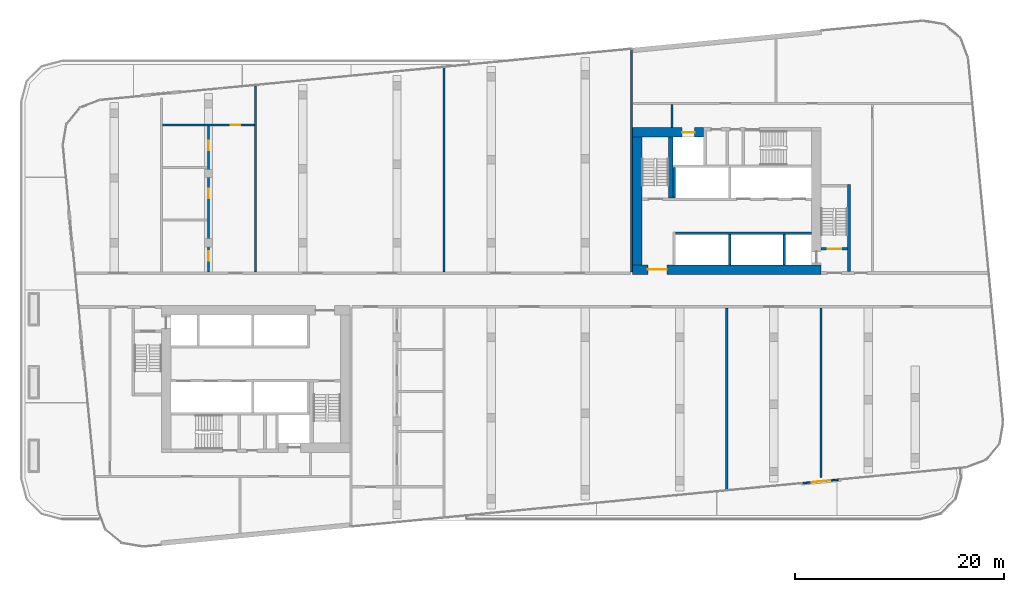
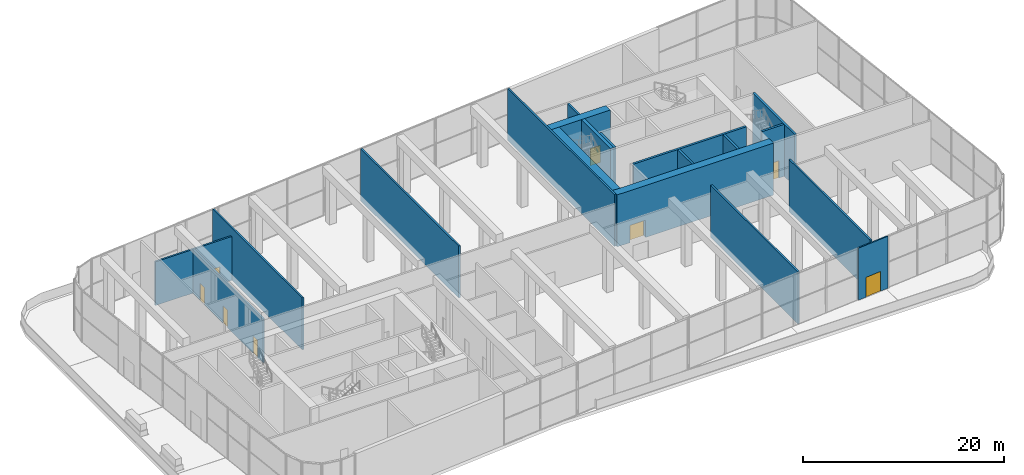
# One storey, part 15 of 25: 19 walls, 8 doors, 8 openings.
"""IFC4 building model written with IfcOpenShell, lengths in metres."""

from ifc_helpers import new_model, si_unit, direction, frame, frame_2d, origin, place, context, subcontext, project, spatial, rectangle, extrude, material, layer, layer_set, type_object, element, fill, save


model = new_model("IFC4")

# Units and contexts
model_context = context("Model", 3, precision=1e-05, world=origin(), true_north=direction((0.0, 1.0)))
body_context = subcontext(model_context, "Body", "Model", "MODEL_VIEW")
ifc_project = project(units=[si_unit("LENGTHUNIT", "METRE"), si_unit("AREAUNIT", "SQUARE_METRE"), si_unit("VOLUMEUNIT", "CUBIC_METRE"), si_unit("PLANEANGLEUNIT", "RADIAN"), si_unit("MASSUNIT", "GRAM", prefix="KILO")], contexts=[model_context])

# Site, building, storey
site_placement = place(None, origin())
site = spatial("IfcSite", under=ifc_project, at=site_placement, CompositionType="ELEMENT")
building_placement = place(site_placement, origin())
building = spatial("IfcBuilding", under=site, at=building_placement, Name="Kajstack Hotel Tower", CompositionType="ELEMENT")
storey_placement = place(building_placement, frame((0.0, 0.0, 104.199951171875)))
storey = spatial("IfcBuildingStorey", under=building, at=storey_placement, Name="L22", CompositionType="ELEMENT", Elevation=104.199951171875)

# Wall, opening, door
ifc_material_1 = material(Name="Concrete C60/75", Category="concrete")
ifc_layer_1 = layer(ifc_material_1, 0.89990234375)
ifc_layer_set_1 = layer_set([ifc_layer_1], Name="Core wall 900")
wall_type_1 = type_object("IfcWallType", Name="Core wall 900", PredefinedType="SHEAR", material=ifc_layer_set_1)
wall_1_placement = place(storey_placement, frame((13.5, 1.949951171875, 0.0), z_axis=(0.0, 0.0, 1.0), x_axis=(1.0, 0.0, 0.0)))
wall_1 = element("IfcWall", 1, at=wall_1_placement, inside=storey, type_object=wall_type_1, Name="Core wall E RN", PredefinedType="SHEAR", context=body_context, shape_type="SweptSolid", body=[
    extrude(rectangle(XDim=18.0, YDim=0.89990234375, at=frame_2d((9.0, 0.0))), origin(), (0.0, 0.0, 1.0), 6.320068359375),
])
opening_1_placement = place(wall_1_placement, frame((1.47509765625, 0.0, 0.0)))
opening_1 = element("IfcOpeningElement", 2, at=opening_1_placement, cuts=wall_1, Name="Opening 22E06", PredefinedType="OPENING", context=body_context, shape_type="SweptSolid", body=[
    extrude(rectangle(XDim=1.800048828125, YDim=2.10009765625, at=frame_2d((0.89990234375, 1.050048828125))), frame((0.0, 0.4599609375, 0.0), z_axis=(0.0, -1.0, 0.0), x_axis=(1.0, 0.0, 0.0)), (0.0, 0.0, 1.0), 0.919921875),
])
ifc_material_2 = material(Name="Glazed steel frame, fire-rated glass", Category="steel")
door_type_1 = type_object("IfcDoorType", Name="Lobby double door 1800", OperationType="DOUBLE_DOOR_DOUBLE_SWING", PredefinedType="DOOR", material=ifc_material_2)
door_1_placement = place(opening_1_placement, origin())
door_1 = element("IfcDoor", 3, at=door_1_placement, inside=storey, type_object=door_type_1, Name="Door 22E06", OperationType="DOUBLE_DOOR_DOUBLE_SWING", OverallHeight=2.10009765625, OverallWidth=1.800048828125, PredefinedType="DOOR", context=body_context, shape_type="SweptSolid", body=[
    extrude(rectangle(XDim=1.800048828125, YDim=2.10009765625, at=frame_2d((0.89990234375, 1.050048828125))), frame((0.0, 0.02490234375, 0.0), z_axis=(0.0, -1.0, 0.0), x_axis=(1.0, 0.0, 0.0)), (0.0, 0.0, 1.0), 0.050048828125),
])
fill(opening_1, door_1)

wall_2_placement = place(storey_placement, frame((13.5, 15.050048828125, 0.0), z_axis=(0.0, 0.0, 1.0), x_axis=(1.0, 0.0, 0.0)))
wall_2 = element("IfcWall", 4, at=wall_2_placement, inside=storey, type_object=wall_type_1, Name="Core wall E RS", PredefinedType="SHEAR", context=body_context, shape_type="SweptSolid", body=[
    extrude(rectangle(XDim=6.800048828125, YDim=0.89990234375, at=frame_2d((3.39990234375, 0.0))), origin(), (0.0, 0.0, 1.0), 6.320068359375),
])
opening_2_placement = place(wall_2_placement, frame((4.72509765625, 0.0, 0.0)))
opening_2 = element("IfcOpeningElement", 5, at=opening_2_placement, cuts=wall_2, Name="Opening LD-SV2", PredefinedType="OPENING", context=body_context, shape_type="SweptSolid", body=[
    extrude(rectangle(XDim=1.199951171875, YDim=2.10009765625, at=frame_2d((0.60009765625, 1.050048828125))), frame((0.0, 0.4599609375, 0.0), z_axis=(0.0, -1.0, 0.0), x_axis=(1.0, 0.0, 0.0)), (0.0, 0.0, 1.0), 0.919921875),
])
ifc_material_3 = material(Name="Stainless steel", Category="steel")
door_type_2 = type_object("IfcDoorType", Name="Lift landing door 1200", OperationType="SLIDING_TO_LEFT", PredefinedType="DOOR", material=ifc_material_3)
door_2_placement = place(opening_2_placement, origin())
door_2 = element("IfcDoor", 6, at=door_2_placement, inside=storey, type_object=door_type_2, Name="Landing door SV2", OperationType="SLIDING_TO_LEFT", OverallHeight=2.10009765625, OverallWidth=1.199951171875, PredefinedType="DOOR", context=body_context, shape_type="SweptSolid", body=[
    extrude(rectangle(XDim=1.199951171875, YDim=2.10009765625, at=frame_2d((0.60009765625, 1.050048828125))), frame((0.0, 0.02490234375, 0.0), z_axis=(0.0, -1.0, 0.0), x_axis=(1.0, 0.0, 0.0)), (0.0, 0.0, 1.0), 0.050048828125),
])
fill(opening_2, door_2)

# Wall
wall_3_placement = place(storey_placement, frame((13.949951171875, 2.39990234375, 0.0), z_axis=(0.0, 0.0, 1.0), x_axis=(0.0, 1.0, 0.0)))
element("IfcWall", 7, at=wall_3_placement, inside=storey, type_object=wall_type_1, Name="Core wall E RE", PredefinedType="SHEAR", context=body_context, shape_type="SweptSolid", body=[
    extrude(rectangle(XDim=12.2001953125, YDim=0.89990234375, at=frame_2d((6.10009765625, 0.0))), origin(), (0.0, 0.0, 1.0), 6.320068359375),
])

# Wall, opening, door
ifc_material_4 = material(Name="Aluminium", Category="aluminium")
ifc_layer_2 = layer(ifc_material_4, 0.14990234375)
ifc_layer_set_2 = layer_set([ifc_layer_2], Name="EW-FRAME")
wall_type_2 = type_object("IfcWallType", Name="EW-FRAME", PredefinedType="SOLIDWALL", material=ifc_layer_set_2)
wall_4_placement = place(storey_placement, frame((29.701171875, -18.449462890625, 0.0), z_axis=(0.0, 0.0, 1.0), x_axis=(0.995391243109, 0.09589720091, 0.0)))
wall_4 = element("IfcWall", 8, at=wall_4_placement, inside=storey, type_object=wall_type_2, Name="E-wall-L22-04-03", PredefinedType="SOLIDWALL", context=body_context, shape_type="SweptSolid", body=[
    extrude(rectangle(XDim=3.599853515625, YDim=0.14990234375, at=frame_2d((1.7998046875, 0.0))), origin(), (0.0, 0.0, 1.0), 6.320068359375),
])
opening_3_placement = place(wall_4_placement, frame((0.89990234375, 0.0, 0.0)))
opening_3 = element("IfcOpeningElement", 9, at=opening_3_placement, cuts=wall_4, Name="Opening TD1", PredefinedType="OPENING", context=body_context, shape_type="SweptSolid", body=[
    extrude(rectangle(XDim=1.800048828125, YDim=2.39990234375, at=frame_2d((0.89990234375, 1.199951171875))), frame((0.0, 0.0849609375, 0.0), z_axis=(0.0, -1.0, 0.0), x_axis=(1.0, 0.0, 0.0)), (0.0, 0.0, 1.0), 0.169921875),
])
ifc_material_5 = material(Name="Timber-aluminium door", Category="wood")
door_type_3 = type_object("IfcDoorType", Name="DOOR-TERRACE", OperationType="DOUBLE_DOOR_SINGLE_SWING", PredefinedType="DOOR", material=ifc_material_5)
door_3_placement = place(opening_3_placement, origin())
door_3 = element("IfcDoor", 10, at=door_3_placement, inside=storey, type_object=door_type_3, Name="Terrace door L22-04", OperationType="SINGLE_SWING_LEFT", OverallHeight=2.39990234375, OverallWidth=1.800048828125, PredefinedType="DOOR", context=body_context, shape_type="SweptSolid", body=[
    extrude(rectangle(XDim=1.800048828125, YDim=2.39990234375, at=frame_2d((0.89990234375, 1.199951171875))), frame((0.0, 0.02490234375, 0.0), z_axis=(0.0, -1.0, 0.0), x_axis=(1.0, 0.0, 0.0)), (0.0, 0.0, 1.0), 0.050048828125),
])
fill(opening_3, door_3)

# Walls
ifc_material_6 = material(Name="Concrete C50/60", Category="concrete")
ifc_layer_3 = layer(ifc_material_6, 0.300048828125)
ifc_layer_set_3 = layer_set([ifc_layer_3], Name="Hoistway divider wall 300")
wall_type_3 = type_object("IfcWallType", Name="Hoistway divider wall 300", PredefinedType="SHEAR", material=ifc_layer_set_3)
wall_5_placement = place(storey_placement, frame((22.77490234375, 2.39990234375, 0.0), z_axis=(0.0, 0.0, 1.0), x_axis=(0.0, 1.0, 0.0)))
element("IfcWall", 11, at=wall_5_placement, inside=storey, type_object=wall_type_3, Name="Core wall E AP2", PredefinedType="SHEAR", context=body_context, shape_type="SweptSolid", body=[
    extrude(rectangle(XDim=2.900146484375, YDim=0.25, at=frame_2d((1.4501953125, 0.0))), origin(), (0.0, 0.0, 1.0), 6.320068359375),
])
ifc_material_7 = material(Name="Gypsum board on steel studs, mineral wool", Category="steel")
ifc_layer_4 = layer(ifc_material_7, 0.199951171875)
ifc_layer_set_4 = layer_set([ifc_layer_4], Name="Public partition 200")
wall_type_4 = type_object("IfcWallType", Name="Public partition 200", PredefinedType="PARTITIONING", material=ifc_layer_set_4)
wall_6_placement = place(storey_placement, frame((-4.5, 1.699951171875, 0.0), z_axis=(0.0, 0.0, 1.0), x_axis=(0.0, 1.0, 0.0)))
element("IfcWall", 12, at=wall_6_placement, inside=storey, type_object=wall_type_4, Name="Partition PX0", PredefinedType="PARTITIONING", context=body_context, shape_type="SweptSolid", body=[
    extrude(rectangle(XDim=19.5302734375, YDim=0.199951171875, at=frame_2d((9.76513671875, 0.0))), origin(), (0.0, 0.0, 1.0), 6.320068359375),
])
wall_7_placement = place(storey_placement, frame((-22.5, 1.699951171875, 0.0), z_axis=(0.0, 0.0, 1.0), x_axis=(0.0, 1.0, 0.0)))
element("IfcWall", 13, at=wall_7_placement, inside=storey, type_object=wall_type_4, Name="Partition PX1", PredefinedType="PARTITIONING", context=body_context, shape_type="SweptSolid", body=[
    extrude(rectangle(XDim=17.797119140625, YDim=0.199951171875, at=frame_2d((8.8984375, 0.0))), origin(), (0.0, 0.0, 1.0), 6.320068359375),
])

# Wall, openings, doors
wall_8_placement = place(storey_placement, frame((-27.0, 1.699951171875, 0.0), z_axis=(0.0, 0.0, 1.0), x_axis=(0.0, 1.0, 0.0)))
wall_8 = element("IfcWall", 14, at=wall_8_placement, inside=storey, type_object=wall_type_4, Name="Partition C2CW", PredefinedType="PARTITIONING", context=body_context, shape_type="SweptSolid", body=[
    extrude(rectangle(XDim=13.96240234375, YDim=0.199951171875, at=frame_2d((6.981201171875, 0.0))), origin(), (0.0, 0.0, 1.0), 5.320068359375),
])
opening_4_placement = place(wall_8_placement, frame((1.10009765625, 0.0, 0.0)))
opening_4 = element("IfcOpeningElement", 15, at=opening_4_placement, cuts=wall_8, Name="Opening 22P06", PredefinedType="OPENING", context=body_context, shape_type="SweptSolid", body=[
    extrude(rectangle(XDim=0.89990234375, YDim=2.10009765625, at=frame_2d((0.449951171875, 1.050048828125))), frame((0.0, 0.10986328125, 0.0), z_axis=(0.0, -1.0, 0.0), x_axis=(1.0, 0.0, 0.0)), (0.0, 0.0, 1.0), 0.219970703125),
])
opening_5_placement = place(wall_8_placement, frame((7.050048828125, 0.0, 0.0)))
opening_5 = element("IfcOpeningElement", 16, at=opening_5_placement, cuts=wall_8, Name="Opening 22P07", PredefinedType="OPENING", context=body_context, shape_type="SweptSolid", body=[
    extrude(rectangle(XDim=0.89990234375, YDim=2.10009765625, at=frame_2d((0.449951171875, 1.050048828125))), frame((0.0, 0.10986328125, 0.0), z_axis=(0.0, -1.0, 0.0), x_axis=(1.0, 0.0, 0.0)), (0.0, 0.0, 1.0), 0.219970703125),
])
opening_6_placement = place(wall_8_placement, frame((11.631103515625, 0.0, 0.0)))
opening_6 = element("IfcOpeningElement", 17, at=opening_6_placement, cuts=wall_8, Name="Opening 22P08", PredefinedType="OPENING", context=body_context, shape_type="SweptSolid", body=[
    extrude(rectangle(XDim=0.89990234375, YDim=2.10009765625, at=frame_2d((0.449951171875, 1.050048828125))), frame((0.0, 0.10986328125, 0.0), z_axis=(0.0, -1.0, 0.0), x_axis=(1.0, 0.0, 0.0)), (0.0, 0.0, 1.0), 0.219970703125),
])
ifc_material_8 = material(Name="Timber leaf", Category="wood")
door_type_4 = type_object("IfcDoorType", Name="Public room door 900", OperationType="SINGLE_SWING_LEFT", PredefinedType="DOOR", material=ifc_material_8)
door_4_placement = place(opening_4_placement, origin())
door_4 = element("IfcDoor", 18, at=door_4_placement, inside=storey, type_object=door_type_4, Name="Door 22P06", OperationType="SINGLE_SWING_LEFT", OverallHeight=2.10009765625, OverallWidth=0.89990234375, PredefinedType="DOOR", context=body_context, shape_type="SweptSolid", body=[
    extrude(rectangle(XDim=0.89990234375, YDim=2.10009765625, at=frame_2d((0.449951171875, 1.050048828125))), frame((0.0, 0.02490234375, 0.0), z_axis=(0.0, -1.0, 0.0), x_axis=(1.0, 0.0, 0.0)), (0.0, 0.0, 1.0), 0.050048828125),
])
fill(opening_4, door_4)
door_5_placement = place(opening_5_placement, origin())
door_5 = element("IfcDoor", 19, at=door_5_placement, inside=storey, type_object=door_type_4, Name="Door 22P07", OperationType="SINGLE_SWING_LEFT", OverallHeight=2.10009765625, OverallWidth=0.89990234375, PredefinedType="DOOR", context=body_context, shape_type="SweptSolid", body=[
    extrude(rectangle(XDim=0.89990234375, YDim=2.10009765625, at=frame_2d((0.449951171875, 1.050048828125))), frame((0.0, 0.02490234375, 0.0), z_axis=(0.0, -1.0, 0.0), x_axis=(1.0, 0.0, 0.0)), (0.0, 0.0, 1.0), 0.050048828125),
])
fill(opening_5, door_5)
door_6_placement = place(opening_6_placement, origin())
door_6 = element("IfcDoor", 20, at=door_6_placement, inside=storey, type_object=door_type_4, Name="Door 22P08", OperationType="SINGLE_SWING_LEFT", OverallHeight=2.10009765625, OverallWidth=0.89990234375, PredefinedType="DOOR", context=body_context, shape_type="SweptSolid", body=[
    extrude(rectangle(XDim=0.89990234375, YDim=2.10009765625, at=frame_2d((0.449951171875, 1.050048828125))), frame((0.0, 0.02490234375, 0.0), z_axis=(0.0, -1.0, 0.0), x_axis=(1.0, 0.0, 0.0)), (0.0, 0.0, 1.0), 0.050048828125),
])
fill(opening_6, door_6)

# Wall, opening, door
wall_9_placement = place(storey_placement, frame((-31.39990234375, 15.762451171875, 0.0), z_axis=(0.0, 0.0, 1.0), x_axis=(1.0, 0.0, 0.0)))
wall_9 = element("IfcWall", 21, at=wall_9_placement, inside=storey, type_object=wall_type_4, Name="Partition C2BW", PredefinedType="PARTITIONING", context=body_context, shape_type="SweptSolid", body=[
    extrude(rectangle(XDim=8.7998046875, YDim=0.199951171875, at=frame_2d((4.39990234375, 0.0))), origin(), (0.0, 0.0, 1.0), 5.320068359375),
])
opening_7_placement = place(wall_9_placement, frame((6.52490234375, 0.0, 0.0)))
opening_7 = element("IfcOpeningElement", 22, at=opening_7_placement, cuts=wall_9, Name="Opening 22P09", PredefinedType="OPENING", context=body_context, shape_type="SweptSolid", body=[
    extrude(rectangle(XDim=0.89990234375, YDim=2.10009765625, at=frame_2d((0.449951171875, 1.050048828125))), frame((0.0, 0.10986328125, 0.0), z_axis=(0.0, -1.0, 0.0), x_axis=(1.0, 0.0, 0.0)), (0.0, 0.0, 1.0), 0.219970703125),
])
door_7_placement = place(opening_7_placement, origin())
door_7 = element("IfcDoor", 23, at=door_7_placement, inside=storey, type_object=door_type_4, Name="Door 22P09", OperationType="SINGLE_SWING_LEFT", OverallHeight=2.10009765625, OverallWidth=0.89990234375, PredefinedType="DOOR", context=body_context, shape_type="SweptSolid", body=[
    extrude(rectangle(XDim=0.89990234375, YDim=2.10009765625, at=frame_2d((0.449951171875, 1.050048828125))), frame((0.0, 0.02490234375, 0.0), z_axis=(0.0, -1.0, 0.0), x_axis=(1.0, 0.0, 0.0)), (0.0, 0.0, 1.0), 0.050048828125),
])
fill(opening_7, door_7)

# Walls
wall_10_placement = place(storey_placement, frame((13.39990234375, 1.699951171875, 0.0), z_axis=(0.0, 0.0, 1.0), x_axis=(0.0, 1.0, 0.0)))
element("IfcWall", 24, at=wall_10_placement, inside=storey, type_object=wall_type_4, Name="Partition EW", PredefinedType="PARTITIONING", context=body_context, shape_type="SweptSolid", body=[
    extrude(rectangle(XDim=21.25390625, YDim=0.199951171875, at=frame_2d((10.626953125, 0.0))), origin(), (0.0, 0.0, 1.0), 6.320068359375),
])
wall_11_placement = place(storey_placement, frame((22.5, -19.0673828125, 0.0), z_axis=(0.0, 0.0, 1.0), x_axis=(0.0, 1.0, 0.0)))
element("IfcWall", 25, at=wall_11_placement, inside=storey, type_object=wall_type_4, Name="Partition SPX1", PredefinedType="PARTITIONING", context=body_context, shape_type="SweptSolid", body=[
    extrude(rectangle(XDim=17.367431640625, YDim=0.199951171875, at=frame_2d((8.68359375, 0.0))), origin(), (0.0, 0.0, 1.0), 6.320068359375),
])
wall_12_placement = place(storey_placement, frame((31.5, -17.8994140625, 0.0), z_axis=(0.0, 0.0, 1.0), x_axis=(0.0, 1.0, 0.0)))
element("IfcWall", 26, at=wall_12_placement, inside=storey, type_object=wall_type_4, Name="Partition SPX2", PredefinedType="PARTITIONING", context=body_context, shape_type="SweptSolid", body=[
    extrude(rectangle(XDim=16.199462890625, YDim=0.199951171875, at=frame_2d((8.099609375, 0.0))), origin(), (0.0, 0.0, 1.0), 6.320068359375),
])
ifc_layer_5 = layer(ifc_material_7, 0.199951171875)
ifc_layer_set_5 = layer_set([ifc_layer_5], Name="Service partition 200")
wall_type_5 = type_object("IfcWallType", Name="Service partition 200", PredefinedType="PARTITIONING", material=ifc_layer_set_5)
wall_13_placement = place(storey_placement, frame((17.25, 15.5, 0.0), z_axis=(0.0, 0.0, 1.0), x_axis=(0.0, 1.0, 0.0)))
element("IfcWall", 27, at=wall_13_placement, inside=storey, type_object=wall_type_5, Name="Partition E SCE", PredefinedType="PARTITIONING", context=body_context, shape_type="SweptSolid", body=[
    extrude(rectangle(XDim=2.199951171875, YDim=0.199951171875, at=frame_2d((1.10009765625, 0.0))), origin(), (0.0, 0.0, 1.0), 6.320068359375),
])
ifc_layer_6 = layer(ifc_material_6, 0.25)
ifc_layer_set_6 = layer_set([ifc_layer_6], Name="Shaft wall 250")
wall_type_6 = type_object("IfcWallType", Name="Shaft wall 250", PredefinedType="SHEAR", material=ifc_layer_set_6)
wall_14_placement = place(storey_placement, frame((17.60009765625, 5.425048828125, 0.0), z_axis=(0.0, 0.0, 1.0), x_axis=(1.0, 0.0, 0.0)))
element("IfcWall", 28, at=wall_14_placement, inside=storey, type_object=wall_type_6, Name="Core wall E FA", PredefinedType="SHEAR", context=body_context, shape_type="SweptSolid", body=[
    extrude(rectangle(XDim=13.0, YDim=0.25, at=frame_2d((6.5, 0.0))), origin(), (0.0, 0.0, 1.0), 6.320068359375),
])
wall_15_placement = place(storey_placement, frame((27.97509765625, 2.39990234375, 0.0), z_axis=(0.0, 0.0, 1.0), x_axis=(0.0, 1.0, 0.0)))
element("IfcWall", 29, at=wall_15_placement, inside=storey, type_object=wall_type_6, Name="Core wall E AP0", PredefinedType="SHEAR", context=body_context, shape_type="SweptSolid", body=[
    extrude(rectangle(XDim=2.900146484375, YDim=0.25, at=frame_2d((1.4501953125, 0.0))), origin(), (0.0, 0.0, 1.0), 6.320068359375),
])
wall_16_placement = place(storey_placement, frame((17.47509765625, 8.800048828125, 0.0), z_axis=(0.0, 0.0, 1.0), x_axis=(0.0, 1.0, 0.0)))
element("IfcWall", 30, at=wall_16_placement, inside=storey, type_object=wall_type_6, Name="Core wall E BE", PredefinedType="SHEAR", context=body_context, shape_type="SweptSolid", body=[
    extrude(rectangle(XDim=2.89990234375, YDim=0.25, at=frame_2d((1.449951171875, 0.0))), origin(), (0.0, 0.0, 1.0), 6.320068359375),
])

# Wall, opening, door
ifc_material_9 = material(Name="Concrete C40/50", Category="concrete")
ifc_layer_7 = layer(ifc_material_9, 0.25)
ifc_layer_set_7 = layer_set([ifc_layer_7], Name="Stair enclosure wall 250")
wall_type_7 = type_object("IfcWallType", Name="Stair enclosure wall 250", PredefinedType="SHEAR", material=ifc_layer_set_7)
wall_17_placement = place(storey_placement, frame((31.5, 3.925048828125, 0.0), z_axis=(0.0, 0.0, 1.0), x_axis=(1.0, 0.0, 0.0)))
wall_17 = element("IfcWall", 31, at=wall_17_placement, inside=storey, type_object=wall_type_7, Name="Core wall E W1N", PredefinedType="SHEAR", context=body_context, shape_type="SweptSolid", body=[
    extrude(rectangle(XDim=2.550048828125, YDim=0.25, at=frame_2d((1.27490234375, 0.0))), origin(), (0.0, 0.0, 1.0), 6.320068359375),
])
opening_8_placement = place(wall_17_placement, frame((0.625, 0.0, 0.0)))
opening_8 = element("IfcOpeningElement", 32, at=opening_8_placement, cuts=wall_17, Name="Opening 22E08", PredefinedType="OPENING", context=body_context, shape_type="SweptSolid", body=[
    extrude(rectangle(XDim=1.300048828125, YDim=2.10009765625, at=frame_2d((0.64990234375, 1.050048828125))), frame((0.0, 0.135009765625, 0.0), z_axis=(0.0, -1.0, 0.0), x_axis=(1.0, 0.0, 0.0)), (0.0, 0.0, 1.0), 0.27001953125),
])
ifc_material_10 = material(Name="Steel leaf, fire-rated", Category="steel")
door_type_5 = type_object("IfcDoorType", Name="Stair door 1300", OperationType="SINGLE_SWING_LEFT", PredefinedType="DOOR", material=ifc_material_10)
door_8_placement = place(opening_8_placement, origin())
door_8 = element("IfcDoor", 33, at=door_8_placement, inside=storey, type_object=door_type_5, Name="Door 22E08", OperationType="SINGLE_SWING_LEFT", OverallHeight=2.10009765625, OverallWidth=1.300048828125, PredefinedType="DOOR", context=body_context, shape_type="SweptSolid", body=[
    extrude(rectangle(XDim=1.300048828125, YDim=2.10009765625, at=frame_2d((0.64990234375, 1.050048828125))), frame((0.0, 0.02490234375, 0.0), z_axis=(0.0, -1.0, 0.0), x_axis=(1.0, 0.0, 0.0)), (0.0, 0.0, 1.0), 0.050048828125),
])
fill(opening_8, door_8)

# Walls
wall_18_placement = place(storey_placement, frame((34.175048828125, 1.75, 0.0), z_axis=(0.0, 0.0, 1.0), x_axis=(0.0, 1.0, 0.0)))
element("IfcWall", 34, at=wall_18_placement, inside=storey, type_object=wall_type_7, Name="Core wall E W1W", PredefinedType="SHEAR", context=body_context, shape_type="SweptSolid", body=[
    extrude(rectangle(XDim=8.35009765625, YDim=0.25, at=frame_2d((4.175048828125, 0.0))), origin(), (0.0, 0.0, 1.0), 6.320068359375),
])
ifc_layer_8 = layer(ifc_material_6, 0.39990234375)
ifc_layer_set_8 = layer_set([ifc_layer_8], Name="Stair wall 400")
wall_type_8 = type_object("IfcWallType", Name="Stair wall 400", PredefinedType="SHEAR", material=ifc_layer_set_8)
wall_19_placement = place(storey_placement, frame((17.14990234375, 8.800048828125, 0.0), z_axis=(0.0, 0.0, 1.0), x_axis=(0.0, 1.0, 0.0)))
element("IfcWall", 35, at=wall_19_placement, inside=storey, type_object=wall_type_8, Name="Core wall E WW2", PredefinedType="SHEAR", context=body_context, shape_type="SweptSolid", body=[
    extrude(rectangle(XDim=5.800048828125, YDim=0.39990234375, at=frame_2d((2.89990234375, 0.0))), origin(), (0.0, 0.0, 1.0), 6.320068359375),
])

save(model, "model.ifc")
